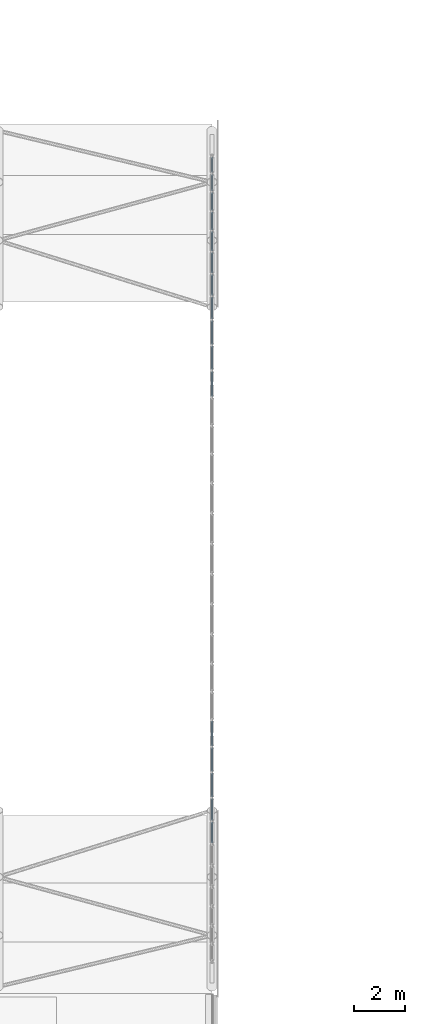
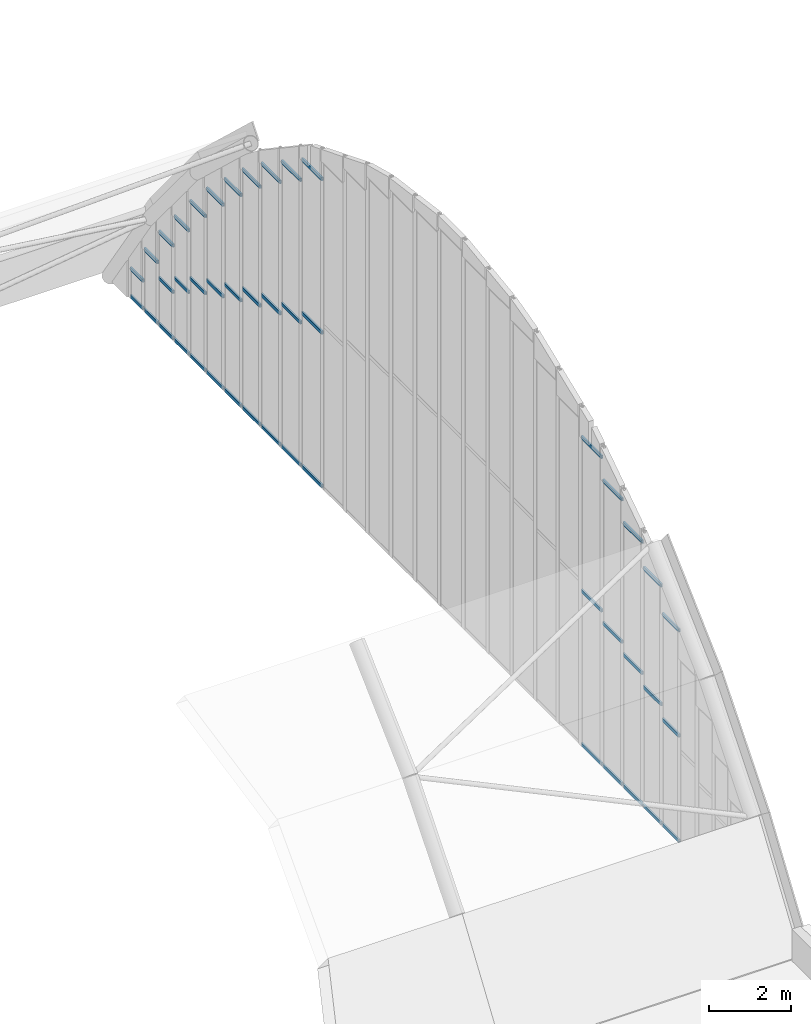
# One storey, part 49 of 77: 46 members, 1 element without a shape of its own.
"""IFC4 building model written with IfcOpenShell, lengths in metres."""

from ifc_helpers import new_model, si_unit, direction, frame, origin, origin_2d, place, context, subcontext, project, spatial, hollow_rectangle, extrude, material, material_profile, profile_set, type_object, element, aggregate, save


model = new_model("IFC4")

# Units and contexts
model_context = context("Model", 3, precision=1e-05, world=origin(), true_north=direction((0.0, 1.0)))
body_context = subcontext(model_context, "Body", "Model", "MODEL_VIEW")
ifc_project = project(units=[si_unit("LENGTHUNIT", "METRE"), si_unit("AREAUNIT", "SQUARE_METRE"), si_unit("VOLUMEUNIT", "CUBIC_METRE"), si_unit("PLANEANGLEUNIT", "RADIAN"), si_unit("MASSUNIT", "GRAM", prefix="KILO")], contexts=[model_context])

# Site, building, storey
site_placement = place(None, origin())
site = spatial("IfcSite", under=ifc_project, at=site_placement, CompositionType="ELEMENT")
building_placement = place(site_placement, origin())
building = spatial("IfcBuilding", under=site, at=building_placement, Name="Catenary Quay Ferry Terminal", CompositionType="ELEMENT")
storey_placement = place(building_placement, frame((0.0, 0.0, 10.800048828125)))
storey = spatial("IfcBuildingStorey", under=building, at=storey_placement, Name="L02", CompositionType="ELEMENT", Elevation=10.800048828125)

# Curtain wall, members
ifc_material_1 = material(Name="Aluminium and glass", Category="aluminium")
curtain_wall_type = type_object("IfcCurtainWallType", Name="CWA", PredefinedType="NOTDEFINED", material=ifc_material_1)
curtain_wall_placement = place(storey_placement, origin())
curtain_wall = element("IfcCurtainWall", 1, at=curtain_wall_placement, inside=storey, type_object=curtain_wall_type, Name="Arch departure hall curtain wall CW21", PredefinedType="NOTDEFINED")
ifc_material_2 = material(Name="Aluminium", Category="aluminium")
ifc_material_profile = material_profile(ifc_material_2, hollow_rectangle(XDim=0.050048828125, YDim=0.10009765625, WallThickness=0.00390625, at=origin_2d()), Name="TR4")
ifc_profile_set = profile_set([ifc_material_profile], Name="Aluminium")
member_type = type_object("IfcMemberType", Name="TR4", PredefinedType="USERDEFINED", material=ifc_profile_set)
member_1_placement = place(storey_placement, frame((92.39990234375, 114.846435546875, 0.050048828125), z_axis=(0.0, 1.0, 0.0), x_axis=(-1.0, 0.0, 0.0)))
member_1 = element("IfcMember", 2, at=member_1_placement, type_object=member_type, Name="CW21 transom 7.1", ObjectType="TRANSOM", PredefinedType="USERDEFINED", context=body_context, shape_type="SweptSolid", body=[
    extrude(hollow_rectangle(XDim=0.050048828125, YDim=0.10009765625, WallThickness=0.00390625, at=origin_2d()), origin(), (0.0, 0.0, 1.0), 0.81298828125),
])
member_2_placement = place(storey_placement, frame((92.39990234375, 114.846435546875, 3.201171875), z_axis=(0.0, 1.0, 0.0), x_axis=(-1.0, 0.0, 0.0)))
member_2 = element("IfcMember", 3, at=member_2_placement, type_object=member_type, Name="CW21 transom 7.2", ObjectType="TRANSOM", PredefinedType="USERDEFINED", context=body_context, shape_type="SweptSolid", body=[
    extrude(hollow_rectangle(XDim=0.050048828125, YDim=0.10009765625, WallThickness=0.00390625, at=origin_2d()), origin(), (0.0, 0.0, 1.0), 0.81298828125),
])
member_3_placement = place(storey_placement, frame((92.39990234375, 114.846435546875, 6.3525390625), z_axis=(0.0, 1.0, 0.0), x_axis=(-1.0, 0.0, 0.0)))
member_3 = element("IfcMember", 4, at=member_3_placement, type_object=member_type, Name="CW21 transom 7.3", ObjectType="TRANSOM", PredefinedType="USERDEFINED", context=body_context, shape_type="SweptSolid", body=[
    extrude(hollow_rectangle(XDim=0.050048828125, YDim=0.10009765625, WallThickness=0.00390625, at=origin_2d()), origin(), (0.0, 0.0, 1.0), 0.81298828125),
])
member_4_placement = place(storey_placement, frame((92.39990234375, 115.719482421875, 0.050048828125), z_axis=(0.0, 1.0, 0.0), x_axis=(-1.0, 0.0, 0.0)))
member_4 = element("IfcMember", 5, at=member_4_placement, type_object=member_type, Name="CW21 transom 8.1", ObjectType="TRANSOM", PredefinedType="USERDEFINED", context=body_context, shape_type="SweptSolid", body=[
    extrude(hollow_rectangle(XDim=0.050048828125, YDim=0.10009765625, WallThickness=0.00390625, at=origin_2d()), origin(), (0.0, 0.0, 1.0), 0.873779296875),
])
member_5_placement = place(storey_placement, frame((92.39990234375, 115.719482421875, 3.6103515625), z_axis=(0.0, 1.0, 0.0), x_axis=(-1.0, 0.0, 0.0)))
member_5 = element("IfcMember", 6, at=member_5_placement, type_object=member_type, Name="CW21 transom 8.2", ObjectType="TRANSOM", PredefinedType="USERDEFINED", context=body_context, shape_type="SweptSolid", body=[
    extrude(hollow_rectangle(XDim=0.050048828125, YDim=0.10009765625, WallThickness=0.00390625, at=origin_2d()), origin(), (0.0, 0.0, 1.0), 0.873779296875),
])
member_6_placement = place(storey_placement, frame((92.39990234375, 115.719482421875, 7.1708984375), z_axis=(0.0, 1.0, 0.0), x_axis=(-1.0, 0.0, 0.0)))
member_6 = element("IfcMember", 7, at=member_6_placement, type_object=member_type, Name="CW21 transom 8.3", ObjectType="TRANSOM", PredefinedType="USERDEFINED", context=body_context, shape_type="SweptSolid", body=[
    extrude(hollow_rectangle(XDim=0.050048828125, YDim=0.10009765625, WallThickness=0.00390625, at=origin_2d()), origin(), (0.0, 0.0, 1.0), 0.873779296875),
])
member_7_placement = place(storey_placement, frame((92.39990234375, 116.6533203125, 0.050048828125), z_axis=(0.0, 1.0, 0.0), x_axis=(-1.0, 0.0, 0.0)))
member_7 = element("IfcMember", 8, at=member_7_placement, type_object=member_type, Name="CW21 transom 9.1", ObjectType="TRANSOM", PredefinedType="USERDEFINED", context=body_context, shape_type="SweptSolid", body=[
    extrude(hollow_rectangle(XDim=0.050048828125, YDim=0.10009765625, WallThickness=0.00390625, at=origin_2d()), origin(), (0.0, 0.0, 1.0), 0.9345703125),
])
member_8_placement = place(storey_placement, frame((92.39990234375, 116.6533203125, 3.9814453125), z_axis=(0.0, 1.0, 0.0), x_axis=(-1.0, 0.0, 0.0)))
member_8 = element("IfcMember", 9, at=member_8_placement, type_object=member_type, Name="CW21 transom 9.2", ObjectType="TRANSOM", PredefinedType="USERDEFINED", context=body_context, shape_type="SweptSolid", body=[
    extrude(hollow_rectangle(XDim=0.050048828125, YDim=0.10009765625, WallThickness=0.00390625, at=origin_2d()), origin(), (0.0, 0.0, 1.0), 0.9345703125),
])
member_9_placement = place(storey_placement, frame((92.39990234375, 116.6533203125, 7.912841796875), z_axis=(0.0, 1.0, 0.0), x_axis=(-1.0, 0.0, 0.0)))
member_9 = element("IfcMember", 10, at=member_9_placement, type_object=member_type, Name="CW21 transom 9.3", ObjectType="TRANSOM", PredefinedType="USERDEFINED", context=body_context, shape_type="SweptSolid", body=[
    extrude(hollow_rectangle(XDim=0.050048828125, YDim=0.10009765625, WallThickness=0.00390625, at=origin_2d()), origin(), (0.0, 0.0, 1.0), 0.9345703125),
])
member_10_placement = place(storey_placement, frame((92.39990234375, 117.64794921875, 0.050048828125), z_axis=(0.0, 1.0, 0.0), x_axis=(-1.0, 0.0, 0.0)))
member_10 = element("IfcMember", 11, at=member_10_placement, type_object=member_type, Name="CW21 transom 10.1", ObjectType="TRANSOM", PredefinedType="USERDEFINED", context=body_context, shape_type="SweptSolid", body=[
    extrude(hollow_rectangle(XDim=0.050048828125, YDim=0.10009765625, WallThickness=0.00390625, at=origin_2d()), origin(), (0.0, 0.0, 1.0), 0.934814453125),
])
member_11_placement = place(storey_placement, frame((92.39990234375, 117.64794921875, 4.314208984375), z_axis=(0.0, 1.0, 0.0), x_axis=(-1.0, 0.0, 0.0)))
member_11 = element("IfcMember", 12, at=member_11_placement, type_object=member_type, Name="CW21 transom 10.2", ObjectType="TRANSOM", PredefinedType="USERDEFINED", context=body_context, shape_type="SweptSolid", body=[
    extrude(hollow_rectangle(XDim=0.050048828125, YDim=0.10009765625, WallThickness=0.00390625, at=origin_2d()), origin(), (0.0, 0.0, 1.0), 0.934814453125),
])
member_12_placement = place(storey_placement, frame((92.39990234375, 117.64794921875, 8.578369140625), z_axis=(0.0, 1.0, 0.0), x_axis=(-1.0, 0.0, 0.0)))
member_12 = element("IfcMember", 13, at=member_12_placement, type_object=member_type, Name="CW21 transom 10.3", ObjectType="TRANSOM", PredefinedType="USERDEFINED", context=body_context, shape_type="SweptSolid", body=[
    extrude(hollow_rectangle(XDim=0.050048828125, YDim=0.10009765625, WallThickness=0.00390625, at=origin_2d()), origin(), (0.0, 0.0, 1.0), 0.934814453125),
])
member_13_placement = place(storey_placement, frame((92.39990234375, 118.642578125, 0.050048828125), z_axis=(0.0, 1.0, 0.0), x_axis=(-1.0, 0.0, 0.0)))
member_13 = element("IfcMember", 14, at=member_13_placement, type_object=member_type, Name="CW21 transom 11.1", ObjectType="TRANSOM", PredefinedType="USERDEFINED", context=body_context, shape_type="SweptSolid", body=[
    extrude(hollow_rectangle(XDim=0.050048828125, YDim=0.10009765625, WallThickness=0.00390625, at=origin_2d()), origin(), (0.0, 0.0, 1.0), 0.99267578125),
])
member_14_placement = place(storey_placement, frame((92.39990234375, 118.642578125, 4.64697265625), z_axis=(0.0, 1.0, 0.0), x_axis=(-1.0, 0.0, 0.0)))
member_14 = element("IfcMember", 15, at=member_14_placement, type_object=member_type, Name="CW21 transom 11.2", ObjectType="TRANSOM", PredefinedType="USERDEFINED", context=body_context, shape_type="SweptSolid", body=[
    extrude(hollow_rectangle(XDim=0.050048828125, YDim=0.10009765625, WallThickness=0.00390625, at=origin_2d()), origin(), (0.0, 0.0, 1.0), 0.99267578125),
])
member_15_placement = place(storey_placement, frame((92.39990234375, 118.642578125, 9.244140625), z_axis=(0.0, 1.0, 0.0), x_axis=(-1.0, 0.0, 0.0)))
member_15 = element("IfcMember", 16, at=member_15_placement, type_object=member_type, Name="CW21 transom 11.3", ObjectType="TRANSOM", PredefinedType="USERDEFINED", context=body_context, shape_type="SweptSolid", body=[
    extrude(hollow_rectangle(XDim=0.050048828125, YDim=0.10009765625, WallThickness=0.00390625, at=origin_2d()), origin(), (0.0, 0.0, 1.0), 0.99267578125),
])
member_16_placement = place(storey_placement, frame((92.39990234375, 132.36474609375, 0.050048828125), z_axis=(0.0, 1.0, 0.0), x_axis=(-1.0, 0.0, 0.0)))
member_16 = element("IfcMember", 17, at=member_16_placement, type_object=member_type, Name="CW21 transom 23.1", ObjectType="TRANSOM", PredefinedType="USERDEFINED", context=body_context, shape_type="SweptSolid", body=[
    extrude(hollow_rectangle(XDim=0.050048828125, YDim=0.10009765625, WallThickness=0.00390625, at=origin_2d()), origin(), (0.0, 0.0, 1.0), 0.99267578125),
])
member_17_placement = place(storey_placement, frame((92.39990234375, 132.36474609375, 4.64697265625), z_axis=(0.0, 1.0, 0.0), x_axis=(-1.0, 0.0, 0.0)))
member_17 = element("IfcMember", 18, at=member_17_placement, type_object=member_type, Name="CW21 transom 23.2", ObjectType="TRANSOM", PredefinedType="USERDEFINED", context=body_context, shape_type="SweptSolid", body=[
    extrude(hollow_rectangle(XDim=0.050048828125, YDim=0.10009765625, WallThickness=0.00390625, at=origin_2d()), origin(), (0.0, 0.0, 1.0), 0.99267578125),
])
member_18_placement = place(storey_placement, frame((92.39990234375, 132.36474609375, 9.244140625), z_axis=(0.0, 1.0, 0.0), x_axis=(-1.0, 0.0, 0.0)))
member_18 = element("IfcMember", 19, at=member_18_placement, type_object=member_type, Name="CW21 transom 23.3", ObjectType="TRANSOM", PredefinedType="USERDEFINED", context=body_context, shape_type="SweptSolid", body=[
    extrude(hollow_rectangle(XDim=0.050048828125, YDim=0.10009765625, WallThickness=0.00390625, at=origin_2d()), origin(), (0.0, 0.0, 1.0), 0.99267578125),
])
member_19_placement = place(storey_placement, frame((92.39990234375, 133.417236328125, 0.050048828125), z_axis=(0.0, 1.0, 0.0), x_axis=(-1.0, 0.0, 0.0)))
member_19 = element("IfcMember", 20, at=member_19_placement, type_object=member_type, Name="CW21 transom 24.1", ObjectType="TRANSOM", PredefinedType="USERDEFINED", context=body_context, shape_type="SweptSolid", body=[
    extrude(hollow_rectangle(XDim=0.050048828125, YDim=0.10009765625, WallThickness=0.00390625, at=origin_2d()), origin(), (0.0, 0.0, 1.0), 0.934814453125),
])
member_20_placement = place(storey_placement, frame((92.39990234375, 133.417236328125, 4.314208984375), z_axis=(0.0, 1.0, 0.0), x_axis=(-1.0, 0.0, 0.0)))
member_20 = element("IfcMember", 21, at=member_20_placement, type_object=member_type, Name="CW21 transom 24.2", ObjectType="TRANSOM", PredefinedType="USERDEFINED", context=body_context, shape_type="SweptSolid", body=[
    extrude(hollow_rectangle(XDim=0.050048828125, YDim=0.10009765625, WallThickness=0.00390625, at=origin_2d()), origin(), (0.0, 0.0, 1.0), 0.934814453125),
])
member_21_placement = place(storey_placement, frame((92.39990234375, 133.417236328125, 8.578369140625), z_axis=(0.0, 1.0, 0.0), x_axis=(-1.0, 0.0, 0.0)))
member_21 = element("IfcMember", 22, at=member_21_placement, type_object=member_type, Name="CW21 transom 24.3", ObjectType="TRANSOM", PredefinedType="USERDEFINED", context=body_context, shape_type="SweptSolid", body=[
    extrude(hollow_rectangle(XDim=0.050048828125, YDim=0.10009765625, WallThickness=0.00390625, at=origin_2d()), origin(), (0.0, 0.0, 1.0), 0.934814453125),
])
member_22_placement = place(storey_placement, frame((92.39990234375, 134.412109375, 0.050048828125), z_axis=(0.0, 1.0, 0.0), x_axis=(-1.0, 0.0, 0.0)))
member_22 = element("IfcMember", 23, at=member_22_placement, type_object=member_type, Name="CW21 transom 25.1", ObjectType="TRANSOM", PredefinedType="USERDEFINED", context=body_context, shape_type="SweptSolid", body=[
    extrude(hollow_rectangle(XDim=0.050048828125, YDim=0.10009765625, WallThickness=0.00390625, at=origin_2d()), origin(), (0.0, 0.0, 1.0), 0.9345703125),
])
member_23_placement = place(storey_placement, frame((92.39990234375, 134.412109375, 3.9814453125), z_axis=(0.0, 1.0, 0.0), x_axis=(-1.0, 0.0, 0.0)))
member_23 = element("IfcMember", 24, at=member_23_placement, type_object=member_type, Name="CW21 transom 25.2", ObjectType="TRANSOM", PredefinedType="USERDEFINED", context=body_context, shape_type="SweptSolid", body=[
    extrude(hollow_rectangle(XDim=0.050048828125, YDim=0.10009765625, WallThickness=0.00390625, at=origin_2d()), origin(), (0.0, 0.0, 1.0), 0.9345703125),
])
member_24_placement = place(storey_placement, frame((92.39990234375, 134.412109375, 7.912841796875), z_axis=(0.0, 1.0, 0.0), x_axis=(-1.0, 0.0, 0.0)))
member_24 = element("IfcMember", 25, at=member_24_placement, type_object=member_type, Name="CW21 transom 25.3", ObjectType="TRANSOM", PredefinedType="USERDEFINED", context=body_context, shape_type="SweptSolid", body=[
    extrude(hollow_rectangle(XDim=0.050048828125, YDim=0.10009765625, WallThickness=0.00390625, at=origin_2d()), origin(), (0.0, 0.0, 1.0), 0.9345703125),
])
member_25_placement = place(storey_placement, frame((92.39990234375, 135.40673828125, 0.050048828125), z_axis=(0.0, 1.0, 0.0), x_axis=(-1.0, 0.0, 0.0)))
member_25 = element("IfcMember", 26, at=member_25_placement, type_object=member_type, Name="CW21 transom 26.1", ObjectType="TRANSOM", PredefinedType="USERDEFINED", context=body_context, shape_type="SweptSolid", body=[
    extrude(hollow_rectangle(XDim=0.050048828125, YDim=0.10009765625, WallThickness=0.00390625, at=origin_2d()), origin(), (0.0, 0.0, 1.0), 0.873779296875),
])
member_26_placement = place(storey_placement, frame((92.39990234375, 135.40673828125, 3.6103515625), z_axis=(0.0, 1.0, 0.0), x_axis=(-1.0, 0.0, 0.0)))
member_26 = element("IfcMember", 27, at=member_26_placement, type_object=member_type, Name="CW21 transom 26.2", ObjectType="TRANSOM", PredefinedType="USERDEFINED", context=body_context, shape_type="SweptSolid", body=[
    extrude(hollow_rectangle(XDim=0.050048828125, YDim=0.10009765625, WallThickness=0.00390625, at=origin_2d()), origin(), (0.0, 0.0, 1.0), 0.873779296875),
])
member_27_placement = place(storey_placement, frame((92.39990234375, 135.40673828125, 7.1708984375), z_axis=(0.0, 1.0, 0.0), x_axis=(-1.0, 0.0, 0.0)))
member_27 = element("IfcMember", 28, at=member_27_placement, type_object=member_type, Name="CW21 transom 26.3", ObjectType="TRANSOM", PredefinedType="USERDEFINED", context=body_context, shape_type="SweptSolid", body=[
    extrude(hollow_rectangle(XDim=0.050048828125, YDim=0.10009765625, WallThickness=0.00390625, at=origin_2d()), origin(), (0.0, 0.0, 1.0), 0.873779296875),
])
member_28_placement = place(storey_placement, frame((92.39990234375, 136.340576171875, 0.050048828125), z_axis=(0.0, 1.0, 0.0), x_axis=(-1.0, 0.0, 0.0)))
member_28 = element("IfcMember", 29, at=member_28_placement, type_object=member_type, Name="CW21 transom 27.1", ObjectType="TRANSOM", PredefinedType="USERDEFINED", context=body_context, shape_type="SweptSolid", body=[
    extrude(hollow_rectangle(XDim=0.050048828125, YDim=0.10009765625, WallThickness=0.00390625, at=origin_2d()), origin(), (0.0, 0.0, 1.0), 0.81298828125),
])
member_29_placement = place(storey_placement, frame((92.39990234375, 136.340576171875, 3.201171875), z_axis=(0.0, 1.0, 0.0), x_axis=(-1.0, 0.0, 0.0)))
member_29 = element("IfcMember", 30, at=member_29_placement, type_object=member_type, Name="CW21 transom 27.2", ObjectType="TRANSOM", PredefinedType="USERDEFINED", context=body_context, shape_type="SweptSolid", body=[
    extrude(hollow_rectangle(XDim=0.050048828125, YDim=0.10009765625, WallThickness=0.00390625, at=origin_2d()), origin(), (0.0, 0.0, 1.0), 0.81298828125),
])
member_30_placement = place(storey_placement, frame((92.39990234375, 136.340576171875, 6.3525390625), z_axis=(0.0, 1.0, 0.0), x_axis=(-1.0, 0.0, 0.0)))
member_30 = element("IfcMember", 31, at=member_30_placement, type_object=member_type, Name="CW21 transom 27.3", ObjectType="TRANSOM", PredefinedType="USERDEFINED", context=body_context, shape_type="SweptSolid", body=[
    extrude(hollow_rectangle(XDim=0.050048828125, YDim=0.10009765625, WallThickness=0.00390625, at=origin_2d()), origin(), (0.0, 0.0, 1.0), 0.81298828125),
])
member_31_placement = place(storey_placement, frame((92.39990234375, 137.21337890625, 0.050048828125), z_axis=(0.0, 1.0, 0.0), x_axis=(-1.0, 0.0, 0.0)))
member_31 = element("IfcMember", 32, at=member_31_placement, type_object=member_type, Name="CW21 transom 28.1", ObjectType="TRANSOM", PredefinedType="USERDEFINED", context=body_context, shape_type="SweptSolid", body=[
    extrude(hollow_rectangle(XDim=0.050048828125, YDim=0.10009765625, WallThickness=0.00390625, at=origin_2d()), origin(), (0.0, 0.0, 1.0), 0.813232421875),
])
member_32_placement = place(storey_placement, frame((92.39990234375, 137.21337890625, 2.7919921875), z_axis=(0.0, 1.0, 0.0), x_axis=(-1.0, 0.0, 0.0)))
member_32 = element("IfcMember", 33, at=member_32_placement, type_object=member_type, Name="CW21 transom 28.2", ObjectType="TRANSOM", PredefinedType="USERDEFINED", context=body_context, shape_type="SweptSolid", body=[
    extrude(hollow_rectangle(XDim=0.050048828125, YDim=0.10009765625, WallThickness=0.00390625, at=origin_2d()), origin(), (0.0, 0.0, 1.0), 0.813232421875),
])
member_33_placement = place(storey_placement, frame((92.39990234375, 137.21337890625, 5.5341796875), z_axis=(0.0, 1.0, 0.0), x_axis=(-1.0, 0.0, 0.0)))
member_33 = element("IfcMember", 34, at=member_33_placement, type_object=member_type, Name="CW21 transom 28.3", ObjectType="TRANSOM", PredefinedType="USERDEFINED", context=body_context, shape_type="SweptSolid", body=[
    extrude(hollow_rectangle(XDim=0.050048828125, YDim=0.10009765625, WallThickness=0.00390625, at=origin_2d()), origin(), (0.0, 0.0, 1.0), 0.813232421875),
])
member_34_placement = place(storey_placement, frame((92.39990234375, 138.08642578125, 0.050048828125), z_axis=(0.0, 1.0, 0.0), x_axis=(-1.0, 0.0, 0.0)))
member_34 = element("IfcMember", 35, at=member_34_placement, type_object=member_type, Name="CW21 transom 29.1", ObjectType="TRANSOM", PredefinedType="USERDEFINED", context=body_context, shape_type="SweptSolid", body=[
    extrude(hollow_rectangle(XDim=0.050048828125, YDim=0.10009765625, WallThickness=0.00390625, at=origin_2d()), origin(), (0.0, 0.0, 1.0), 0.758544921875),
])
member_35_placement = place(storey_placement, frame((92.39990234375, 138.08642578125, 2.357177734375), z_axis=(0.0, 1.0, 0.0), x_axis=(-1.0, 0.0, 0.0)))
member_35 = element("IfcMember", 36, at=member_35_placement, type_object=member_type, Name="CW21 transom 29.2", ObjectType="TRANSOM", PredefinedType="USERDEFINED", context=body_context, shape_type="SweptSolid", body=[
    extrude(hollow_rectangle(XDim=0.050048828125, YDim=0.10009765625, WallThickness=0.00390625, at=origin_2d()), origin(), (0.0, 0.0, 1.0), 0.758544921875),
])
member_36_placement = place(storey_placement, frame((92.39990234375, 138.08642578125, 4.664306640625), z_axis=(0.0, 1.0, 0.0), x_axis=(-1.0, 0.0, 0.0)))
member_36 = element("IfcMember", 37, at=member_36_placement, type_object=member_type, Name="CW21 transom 29.3", ObjectType="TRANSOM", PredefinedType="USERDEFINED", context=body_context, shape_type="SweptSolid", body=[
    extrude(hollow_rectangle(XDim=0.050048828125, YDim=0.10009765625, WallThickness=0.00390625, at=origin_2d()), origin(), (0.0, 0.0, 1.0), 0.758544921875),
])
member_37_placement = place(storey_placement, frame((92.39990234375, 138.905029296875, 0.050048828125), z_axis=(0.0, 1.0, 0.0), x_axis=(-1.0, 0.0, 0.0)))
member_37 = element("IfcMember", 38, at=member_37_placement, type_object=member_type, Name="CW21 transom 30.1", ObjectType="TRANSOM", PredefinedType="USERDEFINED", context=body_context, shape_type="SweptSolid", body=[
    extrude(hollow_rectangle(XDim=0.050048828125, YDim=0.10009765625, WallThickness=0.00390625, at=origin_2d()), origin(), (0.0, 0.0, 1.0), 0.703857421875),
])
member_38_placement = place(storey_placement, frame((92.39990234375, 138.905029296875, 1.896484375), z_axis=(0.0, 1.0, 0.0), x_axis=(-1.0, 0.0, 0.0)))
member_38 = element("IfcMember", 39, at=member_38_placement, type_object=member_type, Name="CW21 transom 30.2", ObjectType="TRANSOM", PredefinedType="USERDEFINED", context=body_context, shape_type="SweptSolid", body=[
    extrude(hollow_rectangle(XDim=0.050048828125, YDim=0.10009765625, WallThickness=0.00390625, at=origin_2d()), origin(), (0.0, 0.0, 1.0), 0.703857421875),
])
member_39_placement = place(storey_placement, frame((92.39990234375, 138.905029296875, 3.742919921875), z_axis=(0.0, 1.0, 0.0), x_axis=(-1.0, 0.0, 0.0)))
member_39 = element("IfcMember", 40, at=member_39_placement, type_object=member_type, Name="CW21 transom 30.3", ObjectType="TRANSOM", PredefinedType="USERDEFINED", context=body_context, shape_type="SweptSolid", body=[
    extrude(hollow_rectangle(XDim=0.050048828125, YDim=0.10009765625, WallThickness=0.00390625, at=origin_2d()), origin(), (0.0, 0.0, 1.0), 0.703857421875),
])
member_40_placement = place(storey_placement, frame((92.39990234375, 139.6689453125, 0.050048828125), z_axis=(0.0, 1.0, 0.0), x_axis=(-1.0, 0.0, 0.0)))
member_40 = element("IfcMember", 41, at=member_40_placement, type_object=member_type, Name="CW21 transom 31.1", ObjectType="TRANSOM", PredefinedType="USERDEFINED", context=body_context, shape_type="SweptSolid", body=[
    extrude(hollow_rectangle(XDim=0.050048828125, YDim=0.10009765625, WallThickness=0.00390625, at=origin_2d()), origin(), (0.0, 0.0, 1.0), 0.7041015625),
])
member_41_placement = place(storey_placement, frame((92.39990234375, 139.6689453125, 1.435791015625), z_axis=(0.0, 1.0, 0.0), x_axis=(-1.0, 0.0, 0.0)))
member_41 = element("IfcMember", 42, at=member_41_placement, type_object=member_type, Name="CW21 transom 31.2", ObjectType="TRANSOM", PredefinedType="USERDEFINED", context=body_context, shape_type="SweptSolid", body=[
    extrude(hollow_rectangle(XDim=0.050048828125, YDim=0.10009765625, WallThickness=0.00390625, at=origin_2d()), origin(), (0.0, 0.0, 1.0), 0.7041015625),
])
member_42_placement = place(storey_placement, frame((92.39990234375, 139.6689453125, 2.821533203125), z_axis=(0.0, 1.0, 0.0), x_axis=(-1.0, 0.0, 0.0)))
member_42 = element("IfcMember", 43, at=member_42_placement, type_object=member_type, Name="CW21 transom 31.3", ObjectType="TRANSOM", PredefinedType="USERDEFINED", context=body_context, shape_type="SweptSolid", body=[
    extrude(hollow_rectangle(XDim=0.050048828125, YDim=0.10009765625, WallThickness=0.00390625, at=origin_2d()), origin(), (0.0, 0.0, 1.0), 0.7041015625),
])
member_43_placement = place(storey_placement, frame((92.39990234375, 140.43310546875, 0.050048828125), z_axis=(0.0, 1.0, 0.0), x_axis=(-1.0, 0.0, 0.0)))
member_43 = element("IfcMember", 44, at=member_43_placement, type_object=member_type, Name="CW21 transom 32.1", ObjectType="TRANSOM", PredefinedType="USERDEFINED", context=body_context, shape_type="SweptSolid", body=[
    extrude(hollow_rectangle(XDim=0.050048828125, YDim=0.10009765625, WallThickness=0.00390625, at=origin_2d()), origin(), (0.0, 0.0, 1.0), 0.65771484375),
])
member_44_placement = place(storey_placement, frame((92.39990234375, 140.43310546875, 1.86572265625), z_axis=(0.0, 1.0, 0.0), x_axis=(-1.0, 0.0, 0.0)))
member_44 = element("IfcMember", 45, at=member_44_placement, type_object=member_type, Name="CW21 transom 32.2", ObjectType="TRANSOM", PredefinedType="USERDEFINED", context=body_context, shape_type="SweptSolid", body=[
    extrude(hollow_rectangle(XDim=0.050048828125, YDim=0.10009765625, WallThickness=0.00390625, at=origin_2d()), origin(), (0.0, 0.0, 1.0), 0.65771484375),
])
member_45_placement = place(storey_placement, frame((92.39990234375, 141.15087890625, 0.050048828125), z_axis=(0.0, 1.0, 0.0), x_axis=(-1.0, 0.0, 0.0)))
member_45 = element("IfcMember", 46, at=member_45_placement, type_object=member_type, Name="CW21 transom 33.1", ObjectType="TRANSOM", PredefinedType="USERDEFINED", context=body_context, shape_type="SweptSolid", body=[
    extrude(hollow_rectangle(XDim=0.050048828125, YDim=0.10009765625, WallThickness=0.00390625, at=origin_2d()), origin(), (0.0, 0.0, 1.0), 0.611572265625),
])
member_46_placement = place(storey_placement, frame((92.39990234375, 141.15087890625, 0.87548828125), z_axis=(0.0, 1.0, 0.0), x_axis=(-1.0, 0.0, 0.0)))
member_46 = element("IfcMember", 47, at=member_46_placement, type_object=member_type, Name="CW21 transom 33.2", ObjectType="TRANSOM", PredefinedType="USERDEFINED", context=body_context, shape_type="SweptSolid", body=[
    extrude(hollow_rectangle(XDim=0.050048828125, YDim=0.10009765625, WallThickness=0.00390625, at=origin_2d()), origin(), (0.0, 0.0, 1.0), 0.611572265625),
])
aggregate(curtain_wall, [member_1, member_2, member_3, member_4, member_5, member_6, member_7, member_8, member_9, member_10, member_11, member_12, member_13, member_14, member_15, member_16, member_17, member_18, member_19, member_20, member_21, member_22, member_23, member_24, member_25, member_26, member_27, member_28, member_29, member_30, member_31, member_32, member_33, member_34, member_35, member_36, member_37, member_38, member_39, member_40, member_41, member_42, member_43, member_44, member_45, member_46])

save(model, "model.ifc")
